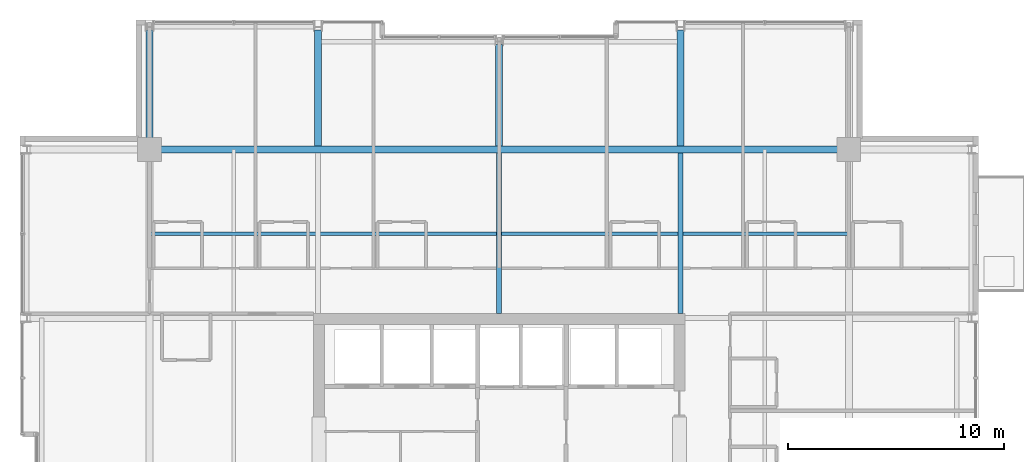
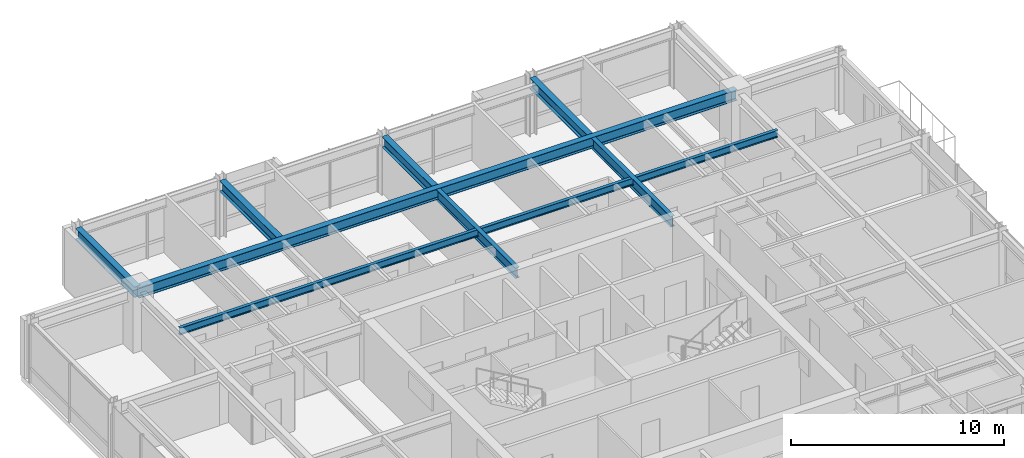
# One storey, part 19 of 33: 8 beams.
"""IFC4 building model written with IfcOpenShell, lengths in metres."""

from ifc_helpers import new_model, si_unit, direction, frame, origin, origin_2d, place, context, subcontext, project, spatial, i_section, extrude, material, material_profile, profile_set, type_object, element, save


model = new_model("IFC4")

# Units and contexts
model_context = context("Model", 3, precision=1e-05, world=origin(), true_north=direction((0.0, 1.0)))
body_context = subcontext(model_context, "Body", "Model", "MODEL_VIEW")
ifc_project = project(units=[si_unit("LENGTHUNIT", "METRE"), si_unit("AREAUNIT", "SQUARE_METRE"), si_unit("VOLUMEUNIT", "CUBIC_METRE"), si_unit("PLANEANGLEUNIT", "RADIAN"), si_unit("MASSUNIT", "GRAM", prefix="KILO")], contexts=[model_context])

# Site, building, storey
site_placement = place(None, origin())
site = spatial("IfcSite", under=ifc_project, at=site_placement, CompositionType="ELEMENT")
building_placement = place(site_placement, origin())
building = spatial("IfcBuilding", under=site, at=building_placement, Name="Drelvath Grand Hotel", CompositionType="ELEMENT")
storey_placement = place(building_placement, frame((0.0, 0.0, 212.300048828125)))
storey = spatial("IfcBuildingStorey", under=building, at=storey_placement, Name="L55", CompositionType="ELEMENT", Elevation=212.300048828125)

# Beams
ifc_material = material(Name="Steel ASTM A992 Gr 50", Category="steel")
ifc_material_profile_1 = material_profile(ifc_material, i_section(OverallWidth=0.177734375, OverallDepth=0.40673828125, WebThickness=0.0078125, FlangeThickness=0.0126953125, FilletRadius=0.014892578125, at=origin_2d()), Name="W16X40")
ifc_profile_set_1 = profile_set([ifc_material_profile_1], Name="Steel ASTM A992 Gr 50")
beam_type_1 = type_object("IfcBeamType", Name="Composite Floor Joist W16X40", PredefinedType="JOIST", material=ifc_profile_set_1)
beam_1_placement = place(storey_placement, frame((-16.199951171875, 39.300048828125, 3.136474609375), z_axis=(1.0, 0.0, 0.0), x_axis=(0.0, 1.0, 0.0)))
element("IfcBeam", 1, at=beam_1_placement, inside=storey, type_object=beam_type_1, Name="L55 Floor Joist J2", PredefinedType="JOIST", context=body_context, shape_type="SweptSolid", body=[
    extrude(i_section(OverallWidth=0.177734375, OverallDepth=0.40673828125, WebThickness=0.0078125, FlangeThickness=0.0126953125, FilletRadius=0.014892578125, at=origin_2d()), origin(), (0.0, 0.0, 1.0), 32.39990234375),
])
ifc_material_profile_2 = material_profile(ifc_material, i_section(OverallWidth=0.323974609375, OverallDepth=0.611083984375, WebThickness=0.0126953125, FlangeThickness=0.01904296875, FilletRadius=0.02197265625, at=origin_2d()), Name="W24X104")
ifc_profile_set_2 = profile_set([ifc_material_profile_2], Name="Steel ASTM A992 Gr 50")
beam_type_2 = type_object("IfcBeamType", Name="Primary Floor Girder W24X104", PredefinedType="BEAM", material=ifc_profile_set_2)
beam_2_placement = place(storey_placement, frame((-16.199951171875, 43.199951171875, 3.034423828125), z_axis=(1.0, 0.0, 0.0), x_axis=(0.0, 1.0, 0.0)))
element("IfcBeam", 2, at=beam_2_placement, inside=storey, type_object=beam_type_2, Name="L55 Mega Ring Girder North", PredefinedType="BEAM", context=body_context, shape_type="SweptSolid", body=[
    extrude(i_section(OverallWidth=0.323974609375, OverallDepth=0.611083984375, WebThickness=0.0126953125, FlangeThickness=0.01904296875, FilletRadius=0.02197265625, at=origin_2d()), origin(), (0.0, 0.0, 1.0), 32.39990234375),
])
beam_3_placement = place(storey_placement, frame((-16.199951171875, 43.199951171875, 3.034423828125), z_axis=(0.0, 1.0, 0.0), x_axis=(-1.0, 0.0, 0.0)))
element("IfcBeam", 3, at=beam_3_placement, inside=storey, type_object=beam_type_2, Name="L55 North Grid Girder 3", PredefinedType="BEAM", context=body_context, shape_type="SweptSolid", body=[
    extrude(i_section(OverallWidth=0.323974609375, OverallDepth=0.611083984375, WebThickness=0.0126953125, FlangeThickness=0.01904296875, FilletRadius=0.02197265625, at=origin_2d()), origin(), (0.0, 0.0, 1.0), 5.5400390625),
])
beam_4_placement = place(storey_placement, frame((-8.39990234375, 43.362060546875, 3.034423828125), z_axis=(0.0, 1.0, 0.0), x_axis=(-1.0, 0.0, 0.0)))
element("IfcBeam", 4, at=beam_4_placement, inside=storey, type_object=beam_type_2, Name="L55 North Wing Girder 4", PredefinedType="BEAM", context=body_context, shape_type="SweptSolid", body=[
    extrude(i_section(OverallWidth=0.323974609375, OverallDepth=0.611083984375, WebThickness=0.0126953125, FlangeThickness=0.01904296875, FilletRadius=0.02197265625, at=origin_2d()), origin(), (0.0, 0.0, 1.0), 5.3779296875),
])
beam_5_placement = place(storey_placement, frame((0.0, 43.362060546875, 3.034423828125), z_axis=(0.0, 1.0, 0.0), x_axis=(-1.0, 0.0, 0.0)))
element("IfcBeam", 5, at=beam_5_placement, inside=storey, type_object=beam_type_2, Name="L55 North Wing Girder 5", PredefinedType="BEAM", context=body_context, shape_type="SweptSolid", body=[
    extrude(i_section(OverallWidth=0.323974609375, OverallDepth=0.611083984375, WebThickness=0.0126953125, FlangeThickness=0.01904296875, FilletRadius=0.02197265625, at=origin_2d()), origin(), (0.0, 0.0, 1.0), 4.697998046875),
])
beam_6_placement = place(storey_placement, frame((8.39990234375, 43.362060546875, 3.034423828125), z_axis=(0.0, 1.0, 0.0), x_axis=(-1.0, 0.0, 0.0)))
element("IfcBeam", 6, at=beam_6_placement, inside=storey, type_object=beam_type_2, Name="L55 North Wing Girder 6", PredefinedType="BEAM", context=body_context, shape_type="SweptSolid", body=[
    extrude(i_section(OverallWidth=0.323974609375, OverallDepth=0.611083984375, WebThickness=0.0126953125, FlangeThickness=0.01904296875, FilletRadius=0.02197265625, at=origin_2d()), origin(), (0.0, 0.0, 1.0), 5.3779296875),
])
ifc_material_profile_3 = material_profile(ifc_material, i_section(OverallWidth=0.228271484375, OverallDepth=0.607666015625, WebThickness=0.01123046875, FlangeThickness=0.017333984375, FilletRadius=0.02001953125, at=origin_2d()), Name="W24X76")
ifc_profile_set_3 = profile_set([ifc_material_profile_3], Name="Steel ASTM A992 Gr 50")
beam_type_3 = type_object("IfcBeamType", Name="Primary Floor Girder W24X76", PredefinedType="BEAM", material=ifc_profile_set_3)
for number, where, z_axis, x_axis, name in (
    (7, (0.0, 35.60009765625, 3.0361328125), (0.0, 1.0, 0.0), (-1.0, 0.0, 0.0), "L55 North Core Tie 5"),
    (8, (8.39990234375, 35.60009765625, 3.0361328125), (0.0, 1.0, 0.0), (-1.0, 0.0, 0.0), "L55 North Core Tie 6"),
):
    element("IfcBeam", number, at=place(storey_placement, frame(where, z_axis=z_axis, x_axis=x_axis)), inside=storey, type_object=beam_type_3, Name=name, PredefinedType="BEAM", context=body_context, shape_type="SweptSolid", body=[
        extrude(i_section(OverallWidth=0.228271484375, OverallDepth=0.607666015625, WebThickness=0.01123046875, FlangeThickness=0.017333984375, FilletRadius=0.02001953125, at=origin_2d()), origin(), (0.0, 0.0, 1.0), 7.43798828125),
    ])

save(model, "model.ifc")
